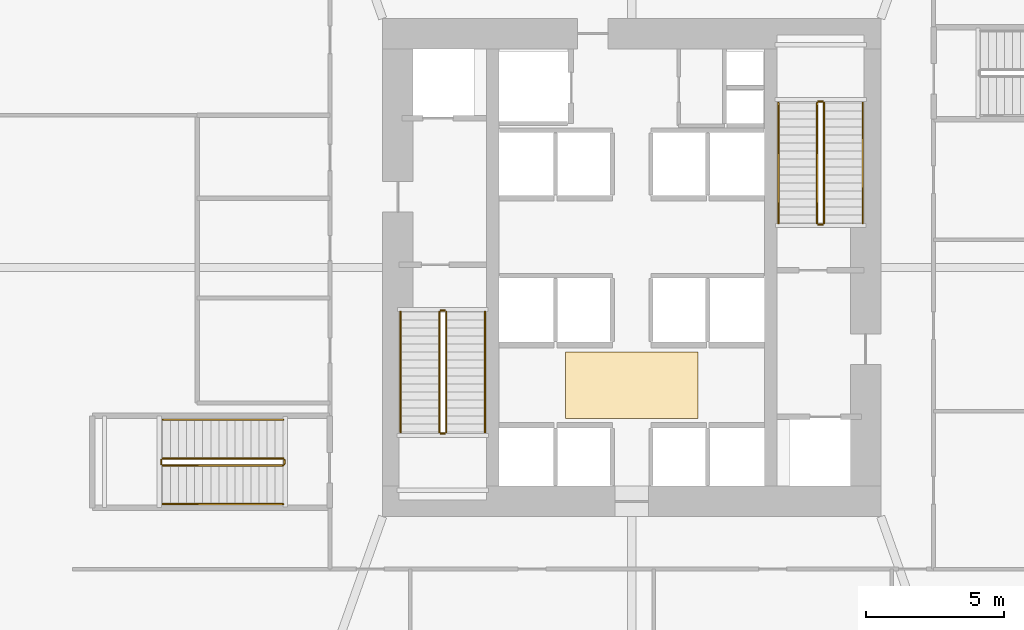
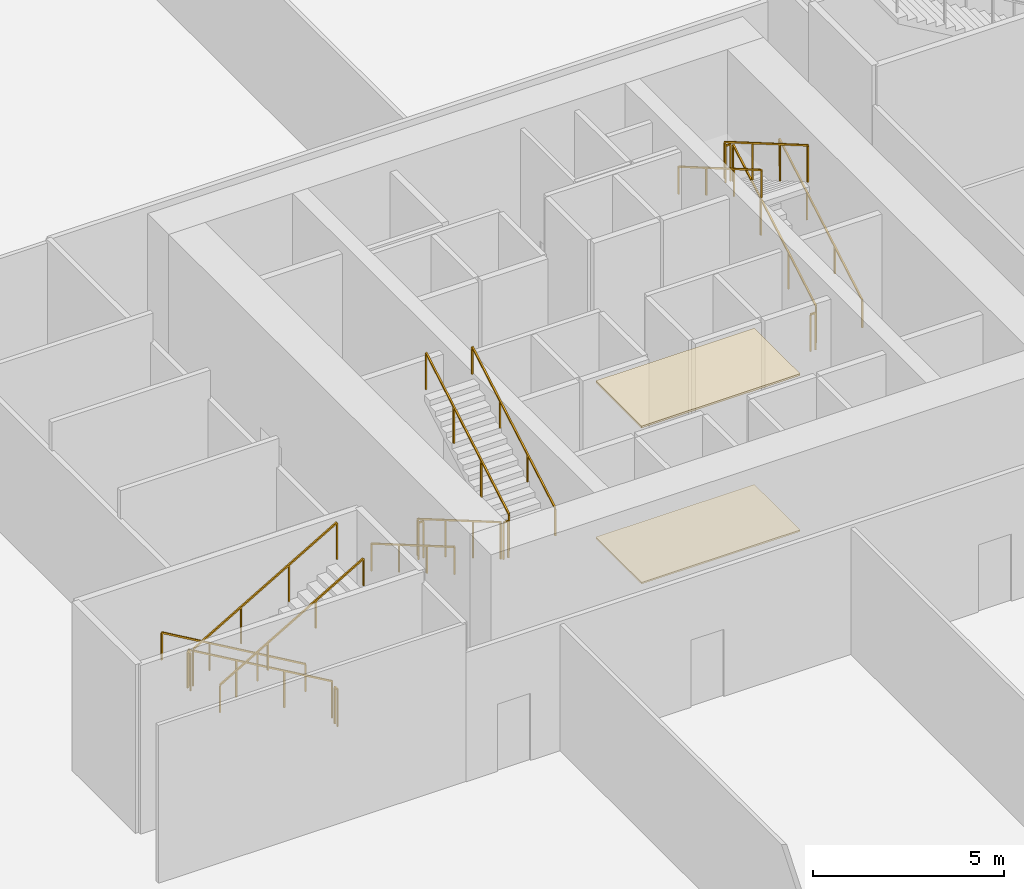
# One storey, part 23 of 24: 18 railings, 2 coverings.
"""IFC4 building model written with IfcOpenShell, lengths in metres."""

from ifc_helpers import new_model, si_unit, direction, frame, origin, origin_2d, place, context, subcontext, project, spatial, polyline, rectangle, outline, extrude, material, layer, layer_set, type_object, element, save


model = new_model("IFC4")

# Units and contexts
model_context = context("Model", 3, precision=1e-05, world=origin(), true_north=direction((0.0, 1.0)))
body_context = subcontext(model_context, "Body", "Model", "MODEL_VIEW")
ifc_project = project(units=[si_unit("LENGTHUNIT", "METRE"), si_unit("AREAUNIT", "SQUARE_METRE"), si_unit("VOLUMEUNIT", "CUBIC_METRE"), si_unit("PLANEANGLEUNIT", "RADIAN"), si_unit("MASSUNIT", "GRAM", prefix="KILO")], contexts=[model_context])

# Site, building, storey
site_placement = place(None, origin())
site = spatial("IfcSite", under=ifc_project, at=site_placement, CompositionType="ELEMENT")
building_placement = place(site_placement, origin())
building = spatial("IfcBuilding", under=site, at=building_placement, Name="Belovzor Exchange Tower", CompositionType="ELEMENT")
storey_placement = place(building_placement, frame((0.0, 0.0, 13.800048828125)))
storey = spatial("IfcBuildingStorey", under=building, at=storey_placement, Name="L03", CompositionType="ELEMENT", Elevation=13.800048828125)

# Railings
ifc_material_1 = material(Name="Stainless Steel Grade 304", Category="steel")
railing_type_1 = type_object("IfcRailingType", Name="Brushed Stainless Steel Stair Handrail 900", PredefinedType="HANDRAIL", material=ifc_material_1)
railing_1_placement = place(storey_placement, frame((20.449951171875, 27.199951171875, 0.168701171875)))
element("IfcRailing", 1, at=railing_1_placement, inside=storey, type_object=railing_type_1, Name="L03 ST-1 stair handrail 1", PredefinedType="HANDRAIL", context=body_context, shape_type="SweptSolid", body=[
    extrude(rectangle(XDim=0.048095703125, YDim=0.048095703125, at=origin_2d()), frame((0.0, 0.0, 0.8759765625), z_axis=(0.0, -0.864311530196, 0.502956835891), x_axis=(1.0, 0.0, 0.0)), (0.0, 0.0, 1.0), 5.03271484375),
    extrude(rectangle(XDim=0.0419921875, YDim=0.0419921875, at=origin_2d()), origin(), (0.0, 0.0, 1.0), 0.851806640625),
    extrude(rectangle(XDim=0.0419921875, YDim=0.0419921875, at=origin_2d()), frame((0.0, -1.449951171875, 0.84375)), (0.0, 0.0, 1.0), 0.851806640625),
    extrude(rectangle(XDim=0.0419921875, YDim=0.0419921875, at=origin_2d()), frame((0.0, -2.89990234375, 1.6875)), (0.0, 0.0, 1.0), 0.851806640625),
    extrude(rectangle(XDim=0.0419921875, YDim=0.0419921875, at=origin_2d()), frame((0.0, -4.349853515625, 2.53125)), (0.0, 0.0, 1.0), 0.851806640625),
])
railing_2_placement = place(storey_placement, frame((23.5, 22.85009765625, 2.86865234375)))
element("IfcRailing", 2, at=railing_2_placement, inside=storey, type_object=railing_type_1, Name="L03 ST-1 stair handrail 2", PredefinedType="HANDRAIL", context=body_context, shape_type="SweptSolid", body=[
    extrude(rectangle(XDim=0.048095703125, YDim=0.048095703125, at=origin_2d()), frame((0.0, 0.0, 0.8759765625), z_axis=(0.0, 0.864311530196, 0.502956835891), x_axis=(-1.0, 0.0, 0.0)), (0.0, 0.0, 1.0), 5.03271484375),
    extrude(rectangle(XDim=0.0419921875, YDim=0.0419921875, at=origin_2d()), origin(), (0.0, 0.0, 1.0), 0.851806640625),
    extrude(rectangle(XDim=0.0419921875, YDim=0.0419921875, at=origin_2d()), frame((0.0, 1.449951171875, 0.84375)), (0.0, 0.0, 1.0), 0.851806640625),
    extrude(rectangle(XDim=0.0419921875, YDim=0.0419921875, at=origin_2d()), frame((0.0, 2.89990234375, 1.6875)), (0.0, 0.0, 1.0), 0.851806640625),
    extrude(rectangle(XDim=0.0419921875, YDim=0.0419921875, at=origin_2d()), frame((0.0, 4.349853515625, 2.53125)), (0.0, 0.0, 1.0), 0.851806640625),
])
railing_3_placement = place(storey_placement, frame((37.14990234375, 30.39990234375, 0.168701171875)))
element("IfcRailing", 3, at=railing_3_placement, inside=storey, type_object=railing_type_1, Name="L03 ST-2 stair handrail 1", PredefinedType="HANDRAIL", context=body_context, shape_type="SweptSolid", body=[
    extrude(rectangle(XDim=0.048095703125, YDim=0.048095703125, at=origin_2d()), frame((0.0, 0.0, 0.8759765625), z_axis=(0.0, 0.864323800911, 0.50293574856), x_axis=(-1.0, 0.0, 0.0)), (0.0, 0.0, 1.0), 5.032958984375),
    extrude(rectangle(XDim=0.0419921875, YDim=0.0419921875, at=origin_2d()), origin(), (0.0, 0.0, 1.0), 0.851806640625),
    extrude(rectangle(XDim=0.0419921875, YDim=0.0419921875, at=origin_2d()), frame((0.0, 1.449951171875, 0.84375)), (0.0, 0.0, 1.0), 0.851806640625),
    extrude(rectangle(XDim=0.0419921875, YDim=0.0419921875, at=origin_2d()), frame((0.0, 2.900146484375, 1.6875)), (0.0, 0.0, 1.0), 0.851806640625),
    extrude(rectangle(XDim=0.0419921875, YDim=0.0419921875, at=origin_2d()), frame((0.0, 4.35009765625, 2.53125)), (0.0, 0.0, 1.0), 0.851806640625),
])
railing_4_placement = place(storey_placement, frame((34.10009765625, 34.75, 2.86865234375)))
element("IfcRailing", 4, at=railing_4_placement, inside=storey, type_object=railing_type_1, Name="L03 ST-2 stair handrail 2", PredefinedType="HANDRAIL", context=body_context, shape_type="SweptSolid", body=[
    extrude(rectangle(XDim=0.048095703125, YDim=0.048095703125, at=origin_2d()), frame((0.0, 0.0, 0.8759765625), z_axis=(0.0, -0.864323800911, 0.50293574856), x_axis=(1.0, 0.0, 0.0)), (0.0, 0.0, 1.0), 5.032958984375),
    extrude(rectangle(XDim=0.0419921875, YDim=0.0419921875, at=origin_2d()), origin(), (0.0, 0.0, 1.0), 0.851806640625),
    extrude(rectangle(XDim=0.0419921875, YDim=0.0419921875, at=origin_2d()), frame((0.0, -1.449951171875, 0.84375)), (0.0, 0.0, 1.0), 0.851806640625),
    extrude(rectangle(XDim=0.0419921875, YDim=0.0419921875, at=origin_2d()), frame((0.0, -2.900146484375, 1.6875)), (0.0, 0.0, 1.0), 0.851806640625),
    extrude(rectangle(XDim=0.0419921875, YDim=0.0419921875, at=origin_2d()), frame((0.0, -4.35009765625, 2.53125)), (0.0, 0.0, 1.0), 0.851806640625),
])
railing_5_placement = place(storey_placement, frame((16.199951171875, 23.300048828125, 0.168701171875)))
element("IfcRailing", 5, at=railing_5_placement, inside=storey, type_object=railing_type_1, Name="L03 ST-3 stair handrail 1", PredefinedType="HANDRAIL", context=body_context, shape_type="SweptSolid", body=[
    extrude(rectangle(XDim=0.048095703125, YDim=0.048095703125, at=origin_2d()), frame((0.0, 0.0, 0.8759765625), z_axis=(-0.864311530196, 0.0, 0.502956835891), x_axis=(0.0, -1.0, 0.0)), (0.0, 0.0, 1.0), 5.03271484375),
    extrude(rectangle(XDim=0.0419921875, YDim=0.0419921875, at=origin_2d()), origin(), (0.0, 0.0, 1.0), 0.851806640625),
    extrude(rectangle(XDim=0.0419921875, YDim=0.0419921875, at=origin_2d()), frame((-1.449951171875, 0.0, 0.84375)), (0.0, 0.0, 1.0), 0.851806640625),
    extrude(rectangle(XDim=0.0419921875, YDim=0.0419921875, at=origin_2d()), frame((-2.89990234375, 0.0, 1.6875)), (0.0, 0.0, 1.0), 0.851806640625),
    extrude(rectangle(XDim=0.0419921875, YDim=0.0419921875, at=origin_2d()), frame((-4.349853515625, 0.0, 2.53125)), (0.0, 0.0, 1.0), 0.851806640625),
])
railing_6_placement = place(storey_placement, frame((11.85009765625, 20.25, 2.86865234375)))
element("IfcRailing", 6, at=railing_6_placement, inside=storey, type_object=railing_type_1, Name="L03 ST-3 stair handrail 2", PredefinedType="HANDRAIL", context=body_context, shape_type="SweptSolid", body=[
    extrude(rectangle(XDim=0.048095703125, YDim=0.048095703125, at=origin_2d()), frame((0.0, 0.0, 0.8759765625), z_axis=(0.864311530196, 0.0, 0.502956835891), x_axis=(0.0, 1.0, 0.0)), (0.0, 0.0, 1.0), 5.03271484375),
    extrude(rectangle(XDim=0.0419921875, YDim=0.0419921875, at=origin_2d()), origin(), (0.0, 0.0, 1.0), 0.851806640625),
    extrude(rectangle(XDim=0.0419921875, YDim=0.0419921875, at=origin_2d()), frame((1.449951171875, 0.0, 0.84375)), (0.0, 0.0, 1.0), 0.851806640625),
    extrude(rectangle(XDim=0.0419921875, YDim=0.0419921875, at=origin_2d()), frame((2.89990234375, 0.0, 1.6875)), (0.0, 0.0, 1.0), 0.851806640625),
    extrude(rectangle(XDim=0.0419921875, YDim=0.0419921875, at=origin_2d()), frame((4.349853515625, 0.0, 2.53125)), (0.0, 0.0, 1.0), 0.851806640625),
])
ifc_material_2 = material(Name="Steel S355", Category="steel")
railing_type_2 = type_object("IfcRailingType", Name="Painted Steel Stairwell Guardrail 1200", PredefinedType="GUARDRAIL", material=ifc_material_2)
railing_7_placement = place(storey_placement, frame((21.85009765625, 27.199951171875, 0.168701171875)))
element("IfcRailing", 7, at=railing_7_placement, inside=storey, type_object=railing_type_2, Name="L03 ST-1 stair guard 1", PredefinedType="GUARDRAIL", context=body_context, shape_type="SweptSolid", body=[
    extrude(rectangle(XDim=0.048095703125, YDim=0.048095703125, at=origin_2d()), frame((0.0, 0.0, 1.17578125), z_axis=(0.0, -0.864311530196, 0.502956835891), x_axis=(1.0, 0.0, 0.0)), (0.0, 0.0, 1.0), 5.03271484375),
    extrude(rectangle(XDim=0.0419921875, YDim=0.0419921875, at=origin_2d()), origin(), (0.0, 0.0, 1.0), 1.15185546875),
    extrude(rectangle(XDim=0.0419921875, YDim=0.0419921875, at=origin_2d()), frame((0.0, -1.449951171875, 0.84375)), (0.0, 0.0, 1.0), 1.15185546875),
    extrude(rectangle(XDim=0.0419921875, YDim=0.0419921875, at=origin_2d()), frame((0.0, -2.89990234375, 1.6875)), (0.0, 0.0, 1.0), 1.15185546875),
    extrude(rectangle(XDim=0.0419921875, YDim=0.0419921875, at=origin_2d()), frame((0.0, -4.349853515625, 2.53125)), (0.0, 0.0, 1.0), 1.15185546875),
])
railing_8_placement = place(storey_placement, frame((21.89990234375, 22.800048828125, 2.699951171875)))
element("IfcRailing", 8, at=railing_8_placement, inside=storey, type_object=railing_type_2, Name="L03 ST-1 stair guard 2", PredefinedType="GUARDRAIL", context=body_context, shape_type="SweptSolid", body=[
    extrude(rectangle(XDim=0.048095703125, YDim=0.048095703125, at=origin_2d()), frame((0.0, 0.0, 1.17578125), z_axis=(1.0, 0.0, 0.0), x_axis=(0.0, 1.0, 0.0)), (0.0, 0.0, 1.0), 0.150146484375),
    extrude(rectangle(XDim=0.0419921875, YDim=0.0419921875, at=origin_2d()), origin(), (0.0, 0.0, 1.0), 1.15185546875),
    extrude(rectangle(XDim=0.0419921875, YDim=0.0419921875, at=origin_2d()), frame((0.150146484375, 0.0, 0.0)), (0.0, 0.0, 1.0), 1.15185546875),
])
railing_9_placement = place(storey_placement, frame((22.10009765625, 22.85009765625, 2.86865234375)))
element("IfcRailing", 9, at=railing_9_placement, inside=storey, type_object=railing_type_2, Name="L03 ST-1 stair guard 3", PredefinedType="GUARDRAIL", context=body_context, shape_type="SweptSolid", body=[
    extrude(rectangle(XDim=0.048095703125, YDim=0.048095703125, at=origin_2d()), frame((0.0, 0.0, 1.17578125), z_axis=(0.0, 0.864311530196, 0.502956835891), x_axis=(-1.0, 0.0, 0.0)), (0.0, 0.0, 1.0), 5.03271484375),
    extrude(rectangle(XDim=0.0419921875, YDim=0.0419921875, at=origin_2d()), origin(), (0.0, 0.0, 1.0), 1.15185546875),
    extrude(rectangle(XDim=0.0419921875, YDim=0.0419921875, at=origin_2d()), frame((0.0, 1.449951171875, 0.84375)), (0.0, 0.0, 1.0), 1.15185546875),
    extrude(rectangle(XDim=0.0419921875, YDim=0.0419921875, at=origin_2d()), frame((0.0, 2.89990234375, 1.6875)), (0.0, 0.0, 1.0), 1.15185546875),
    extrude(rectangle(XDim=0.0419921875, YDim=0.0419921875, at=origin_2d()), frame((0.0, 4.349853515625, 2.53125)), (0.0, 0.0, 1.0), 1.15185546875),
])
railing_10_placement = place(storey_placement, frame((21.89990234375, 27.25, 0.0)))
element("IfcRailing", 10, at=railing_10_placement, inside=storey, type_object=railing_type_2, Name="L03 ST-1 stair guard 4", PredefinedType="GUARDRAIL", context=body_context, shape_type="SweptSolid", body=[
    extrude(rectangle(XDim=0.048095703125, YDim=0.048095703125, at=origin_2d()), frame((0.0, 0.0, 1.17578125), z_axis=(1.0, 0.0, 0.0), x_axis=(0.0, 1.0, 0.0)), (0.0, 0.0, 1.0), 0.150146484375),
    extrude(rectangle(XDim=0.0419921875, YDim=0.0419921875, at=origin_2d()), origin(), (0.0, 0.0, 1.0), 1.15185546875),
    extrude(rectangle(XDim=0.0419921875, YDim=0.0419921875, at=origin_2d()), frame((0.150146484375, 0.0, 0.0)), (0.0, 0.0, 1.0), 1.15185546875),
])
railing_11_placement = place(storey_placement, frame((35.75, 30.39990234375, 0.168701171875)))
element("IfcRailing", 11, at=railing_11_placement, inside=storey, type_object=railing_type_2, Name="L03 ST-2 stair guard 1", PredefinedType="GUARDRAIL", context=body_context, shape_type="SweptSolid", body=[
    extrude(rectangle(XDim=0.048095703125, YDim=0.048095703125, at=origin_2d()), frame((0.0, 0.0, 1.17578125), z_axis=(0.0, 0.864323800911, 0.50293574856), x_axis=(-1.0, 0.0, 0.0)), (0.0, 0.0, 1.0), 5.032958984375),
    extrude(rectangle(XDim=0.0419921875, YDim=0.0419921875, at=origin_2d()), origin(), (0.0, 0.0, 1.0), 1.15185546875),
    extrude(rectangle(XDim=0.0419921875, YDim=0.0419921875, at=origin_2d()), frame((0.0, 1.449951171875, 0.84375)), (0.0, 0.0, 1.0), 1.15185546875),
    extrude(rectangle(XDim=0.0419921875, YDim=0.0419921875, at=origin_2d()), frame((0.0, 2.900146484375, 1.6875)), (0.0, 0.0, 1.0), 1.15185546875),
    extrude(rectangle(XDim=0.0419921875, YDim=0.0419921875, at=origin_2d()), frame((0.0, 4.35009765625, 2.53125)), (0.0, 0.0, 1.0), 1.15185546875),
])
railing_12_placement = place(storey_placement, frame((35.699951171875, 34.800048828125, 2.699951171875)))
element("IfcRailing", 12, at=railing_12_placement, inside=storey, type_object=railing_type_2, Name="L03 ST-2 stair guard 2", PredefinedType="GUARDRAIL", context=body_context, shape_type="SweptSolid", body=[
    extrude(rectangle(XDim=0.048095703125, YDim=0.048095703125, at=origin_2d()), frame((0.0, 0.0, 1.17578125), z_axis=(-1.0, 0.0, 0.0), x_axis=(0.0, -1.0, 0.0)), (0.0, 0.0, 1.0), 0.14990234375),
    extrude(rectangle(XDim=0.0419921875, YDim=0.0419921875, at=origin_2d()), origin(), (0.0, 0.0, 1.0), 1.15185546875),
    extrude(rectangle(XDim=0.0419921875, YDim=0.0419921875, at=origin_2d()), frame((-0.14990234375, 0.0, 0.0)), (0.0, 0.0, 1.0), 1.15185546875),
])
railing_13_placement = place(storey_placement, frame((35.5, 34.75, 2.86865234375)))
element("IfcRailing", 13, at=railing_13_placement, inside=storey, type_object=railing_type_2, Name="L03 ST-2 stair guard 3", PredefinedType="GUARDRAIL", context=body_context, shape_type="SweptSolid", body=[
    extrude(rectangle(XDim=0.048095703125, YDim=0.048095703125, at=origin_2d()), frame((0.0, 0.0, 1.17578125), z_axis=(0.0, -0.864323800911, 0.50293574856), x_axis=(1.0, 0.0, 0.0)), (0.0, 0.0, 1.0), 5.032958984375),
    extrude(rectangle(XDim=0.0419921875, YDim=0.0419921875, at=origin_2d()), origin(), (0.0, 0.0, 1.0), 1.15185546875),
    extrude(rectangle(XDim=0.0419921875, YDim=0.0419921875, at=origin_2d()), frame((0.0, -1.449951171875, 0.84375)), (0.0, 0.0, 1.0), 1.15185546875),
    extrude(rectangle(XDim=0.0419921875, YDim=0.0419921875, at=origin_2d()), frame((0.0, -2.900146484375, 1.6875)), (0.0, 0.0, 1.0), 1.15185546875),
    extrude(rectangle(XDim=0.0419921875, YDim=0.0419921875, at=origin_2d()), frame((0.0, -4.35009765625, 2.53125)), (0.0, 0.0, 1.0), 1.15185546875),
])
railing_14_placement = place(storey_placement, frame((35.699951171875, 30.35009765625, 0.0)))
element("IfcRailing", 14, at=railing_14_placement, inside=storey, type_object=railing_type_2, Name="L03 ST-2 stair guard 4", PredefinedType="GUARDRAIL", context=body_context, shape_type="SweptSolid", body=[
    extrude(rectangle(XDim=0.048095703125, YDim=0.048095703125, at=origin_2d()), frame((0.0, 0.0, 1.17578125), z_axis=(-1.0, 0.0, 0.0), x_axis=(0.0, -1.0, 0.0)), (0.0, 0.0, 1.0), 0.14990234375),
    extrude(rectangle(XDim=0.0419921875, YDim=0.0419921875, at=origin_2d()), origin(), (0.0, 0.0, 1.0), 1.15185546875),
    extrude(rectangle(XDim=0.0419921875, YDim=0.0419921875, at=origin_2d()), frame((-0.14990234375, 0.0, 0.0)), (0.0, 0.0, 1.0), 1.15185546875),
])
railing_15_placement = place(storey_placement, frame((16.199951171875, 21.89990234375, 0.168701171875)))
element("IfcRailing", 15, at=railing_15_placement, inside=storey, type_object=railing_type_2, Name="L03 ST-3 stair guard 1", PredefinedType="GUARDRAIL", context=body_context, shape_type="SweptSolid", body=[
    extrude(rectangle(XDim=0.048095703125, YDim=0.048095703125, at=origin_2d()), frame((0.0, 0.0, 1.17578125), z_axis=(-0.864311530196, 0.0, 0.502956835891), x_axis=(0.0, -1.0, 0.0)), (0.0, 0.0, 1.0), 5.03271484375),
    extrude(rectangle(XDim=0.0419921875, YDim=0.0419921875, at=origin_2d()), origin(), (0.0, 0.0, 1.0), 1.15185546875),
    extrude(rectangle(XDim=0.0419921875, YDim=0.0419921875, at=origin_2d()), frame((-1.449951171875, 0.0, 0.84375)), (0.0, 0.0, 1.0), 1.15185546875),
    extrude(rectangle(XDim=0.0419921875, YDim=0.0419921875, at=origin_2d()), frame((-2.89990234375, 0.0, 1.6875)), (0.0, 0.0, 1.0), 1.15185546875),
    extrude(rectangle(XDim=0.0419921875, YDim=0.0419921875, at=origin_2d()), frame((-4.349853515625, 0.0, 2.53125)), (0.0, 0.0, 1.0), 1.15185546875),
])
railing_16_placement = place(storey_placement, frame((11.800048828125, 21.85009765625, 2.699951171875)))
element("IfcRailing", 16, at=railing_16_placement, inside=storey, type_object=railing_type_2, Name="L03 ST-3 stair guard 2", PredefinedType="GUARDRAIL", context=body_context, shape_type="SweptSolid", body=[
    extrude(rectangle(XDim=0.048095703125, YDim=0.048095703125, at=origin_2d()), frame((0.0, 0.0, 1.17578125), z_axis=(0.0, -1.0, 0.0), x_axis=(1.0, 0.0, 0.0)), (0.0, 0.0, 1.0), 0.150146484375),
    extrude(rectangle(XDim=0.0419921875, YDim=0.0419921875, at=origin_2d()), origin(), (0.0, 0.0, 1.0), 1.15185546875),
    extrude(rectangle(XDim=0.0419921875, YDim=0.0419921875, at=origin_2d()), frame((0.0, -0.150146484375, 0.0)), (0.0, 0.0, 1.0), 1.15185546875),
])
railing_17_placement = place(storey_placement, frame((11.85009765625, 21.64990234375, 2.86865234375)))
element("IfcRailing", 17, at=railing_17_placement, inside=storey, type_object=railing_type_2, Name="L03 ST-3 stair guard 3", PredefinedType="GUARDRAIL", context=body_context, shape_type="SweptSolid", body=[
    extrude(rectangle(XDim=0.048095703125, YDim=0.048095703125, at=origin_2d()), frame((0.0, 0.0, 1.17578125), z_axis=(0.864311530196, 0.0, 0.502956835891), x_axis=(0.0, 1.0, 0.0)), (0.0, 0.0, 1.0), 5.03271484375),
    extrude(rectangle(XDim=0.0419921875, YDim=0.0419921875, at=origin_2d()), origin(), (0.0, 0.0, 1.0), 1.15185546875),
    extrude(rectangle(XDim=0.0419921875, YDim=0.0419921875, at=origin_2d()), frame((1.449951171875, 0.0, 0.84375)), (0.0, 0.0, 1.0), 1.15185546875),
    extrude(rectangle(XDim=0.0419921875, YDim=0.0419921875, at=origin_2d()), frame((2.89990234375, 0.0, 1.6875)), (0.0, 0.0, 1.0), 1.15185546875),
    extrude(rectangle(XDim=0.0419921875, YDim=0.0419921875, at=origin_2d()), frame((4.349853515625, 0.0, 2.53125)), (0.0, 0.0, 1.0), 1.15185546875),
])
railing_18_placement = place(storey_placement, frame((16.25, 21.85009765625, 0.0)))
element("IfcRailing", 18, at=railing_18_placement, inside=storey, type_object=railing_type_2, Name="L03 ST-3 stair guard 4", PredefinedType="GUARDRAIL", context=body_context, shape_type="SweptSolid", body=[
    extrude(rectangle(XDim=0.048095703125, YDim=0.048095703125, at=origin_2d()), frame((0.0, 0.0, 1.17578125), z_axis=(0.0, -1.0, 0.0), x_axis=(1.0, 0.0, 0.0)), (0.0, 0.0, 1.0), 0.150146484375),
    extrude(rectangle(XDim=0.0419921875, YDim=0.0419921875, at=origin_2d()), origin(), (0.0, 0.0, 1.0), 1.15185546875),
    extrude(rectangle(XDim=0.0419921875, YDim=0.0419921875, at=origin_2d()), frame((0.0, -0.150146484375, 0.0)), (0.0, 0.0, 1.0), 1.15185546875),
])

# Coverings
ifc_material_3 = material(Name="Perforated Powder-Coated Aluminium", Category="aluminium")
ifc_layer_1 = layer(ifc_material_3, 0.06005859375)
ifc_layer_set_1 = layer_set([ifc_layer_1], Name="Perforated Powder-Coated Aluminium")
covering_type_1 = type_object("IfcCoveringType", Name="Perforated Acoustic Metal Tile Suspended Ceiling 60", PredefinedType="CEILING", material=ifc_layer_set_1)
covering_1_placement = place(storey_placement, frame((0.0, 0.0, 4.989990234375)))
element("IfcCovering", 19, at=covering_1_placement, inside=storey, type_object=covering_type_1, Name="CLG-AC60 Suspended Ceiling CLG-L03-LOB", PredefinedType="CEILING", context=body_context, shape_type="SweptSolid", body=[
    extrude(outline(polyline([(26.39990234375, 23.35009765625), (31.199951171875, 23.35009765625), (31.199951171875, 25.75), (26.39990234375, 25.75), (26.39990234375, 23.35009765625)])), origin(), (0.0, 0.0, 1.0), 0.06005859375),
])
ifc_material_4 = material(Name="Polished Natural Granite Tile", Category="masonry")
ifc_layer_2 = layer(ifc_material_4, 0.050048828125)
ifc_layer_set_2 = layer_set([ifc_layer_2], Name="Polished Natural Granite Tile")
covering_type_2 = type_object("IfcCoveringType", Name="Polished Karelian Granite & Raised Access Floor Finish 50", PredefinedType="FLOORING", material=ifc_layer_set_2)
covering_2_placement = place(storey_placement, origin())
element("IfcCovering", 20, at=covering_2_placement, inside=storey, type_object=covering_type_2, Name="FLR-GR50 Floor Finish FLR-L03-LOB", PredefinedType="FLOORING", context=body_context, shape_type="SweptSolid", body=[
    extrude(outline(polyline([(26.39990234375, 23.35009765625), (31.199951171875, 23.35009765625), (31.199951171875, 25.75), (26.39990234375, 25.75), (26.39990234375, 23.35009765625)])), origin(), (0.0, 0.0, 1.0), 0.050048828125),
])

save(model, "model.ifc")
